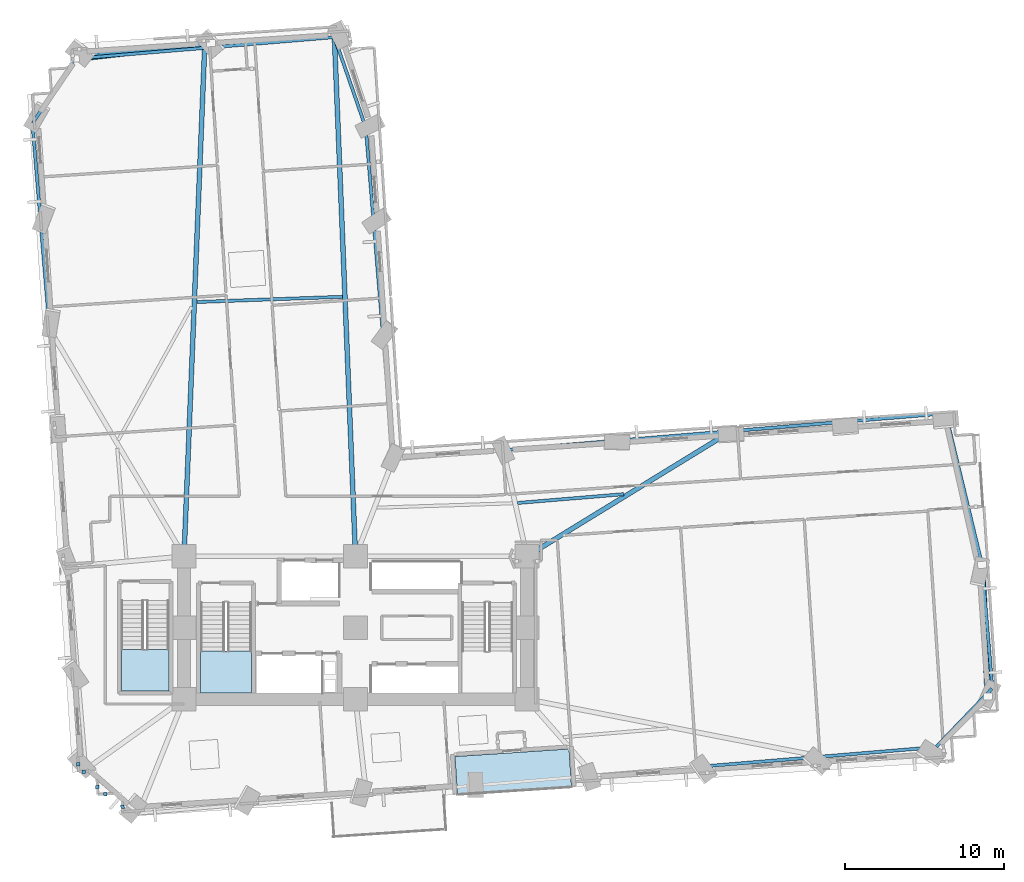
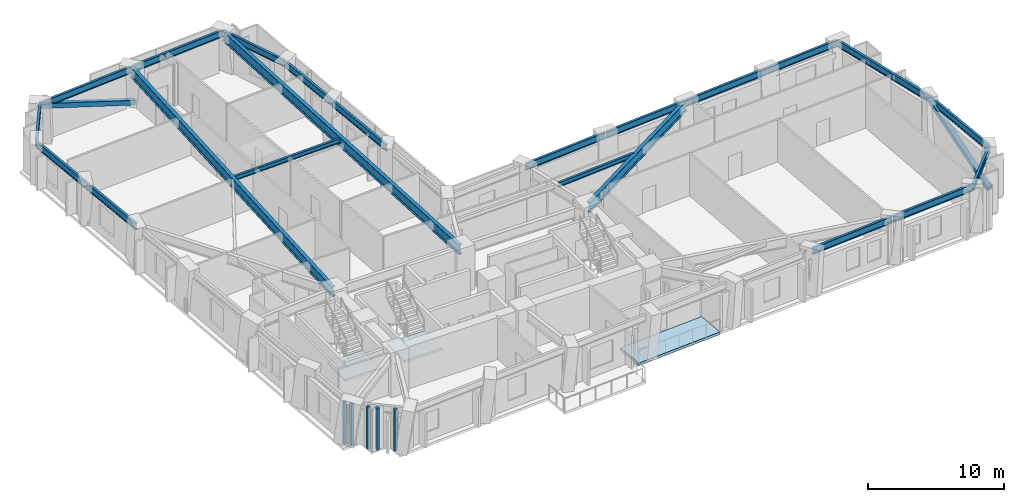
# One storey, part 2 of 14: 22 beams, 5 plates, 3 slabs, 2 members, 2 elements without a shape of their own.
"""IFC4 building model written with IfcOpenShell, lengths in metres."""

from ifc_helpers import new_model, si_unit, direction, frame, origin, origin_2d, place, context, subcontext, project, spatial, polyline, rectangle, hollow_rectangle, i_section, outline, extrude, material, layer, layer_set, material_profile, profile_set, type_object, element, aggregate, save


model = new_model("IFC4")

# Units and contexts
model_context = context("Model", 3, precision=1e-05, world=origin(), true_north=direction((0.0, 1.0)))
body_context = subcontext(model_context, "Body", "Model", "MODEL_VIEW")
ifc_project = project(units=[si_unit("LENGTHUNIT", "METRE"), si_unit("AREAUNIT", "SQUARE_METRE"), si_unit("VOLUMEUNIT", "CUBIC_METRE"), si_unit("PLANEANGLEUNIT", "RADIAN"), si_unit("MASSUNIT", "GRAM", prefix="KILO")], contexts=[model_context])

# Site, building, storey
site_placement = place(None, origin())
site = spatial("IfcSite", under=ifc_project, at=site_placement, CompositionType="ELEMENT")
building_placement = place(site_placement, origin())
building = spatial("IfcBuilding", under=site, at=building_placement, Name="Gaonmaruhae Medical Tower", CompositionType="ELEMENT")
storey_placement = place(building_placement, frame((0.0, 0.0, 39.0)))
storey = spatial("IfcBuildingStorey", under=building, at=storey_placement, Name="L08", CompositionType="ELEMENT", Elevation=39.0)

# Beams
ifc_material_1 = material(Name="Steel SM355", Category="steel")
ifc_material_profile_1 = material_profile(ifc_material_1, i_section(OverallWidth=0.199951171875, OverallDepth=0.39990234375, WebThickness=0.008056640625, FlangeThickness=0.012939453125, FilletRadius=0.012939453125, at=origin_2d()), Name="H-400x200x8x13")
ifc_profile_set_1 = profile_set([ifc_material_profile_1], Name="Steel SM355")
beam_type_1 = type_object("IfcBeamType", Name="FJ-01 Lower Zone Ward Floor Joist (H-400x200x8x13)", PredefinedType="JOIST", material=ifc_profile_set_1)
beam_1_placement = place(storey_placement, frame((41.6923828125, 20.7119140625, 3.580078125), z_axis=(-0.996567575901, -0.082783251106, 0.0), x_axis=(0.082783251106, -0.996567575901, 0.0)))
element("IfcBeam", 1, at=beam_1_placement, inside=storey, type_object=beam_type_1, Name="L08 Secondary Floor Joist FJ05", PredefinedType="JOIST", context=body_context, shape_type="SweptSolid", body=[
    extrude(i_section(OverallWidth=0.199951171875, OverallDepth=0.39990234375, WebThickness=0.008056640625, FlangeThickness=0.012939453125, FilletRadius=0.012939453125, at=origin_2d()), origin(), (0.0, 0.0, 1.0), 6.703369140625),
])
beam_2_placement = place(storey_placement, frame((23.979248046875, 33.142333984375, 3.580078125), z_axis=(-0.999360005261, -0.035771215858, 0.0), x_axis=(0.035771215858, -0.999360005261, 0.0)))
element("IfcBeam", 2, at=beam_2_placement, inside=storey, type_object=beam_type_1, Name="L08 Secondary Floor Joist FJ08", PredefinedType="JOIST", context=body_context, shape_type="SweptSolid", body=[
    extrude(i_section(OverallWidth=0.199951171875, OverallDepth=0.39990234375, WebThickness=0.008056640625, FlangeThickness=0.012939453125, FilletRadius=0.012939453125, at=origin_2d()), origin(), (0.0, 0.0, 1.0), 9.1796875),
])

# Members
ifc_material_2 = material(Name="Steel SM420", Category="steel")
ifc_material_profile_2 = material_profile(ifc_material_2, hollow_rectangle(XDim=0.39990234375, YDim=0.39990234375, WallThickness=0.01611328125, at=origin_2d()), Name="RHS-400x400x16")
ifc_profile_set_2 = profile_set([ifc_material_profile_2], Name="Steel SM420")
member_type = type_object("IfcMemberType", Name="PB-01 Perimeter Solid-Bay Tube Brace Lower (RHS-400x400x16)", PredefinedType="BRACE", material=ifc_profile_set_2)
member_1_placement = place(storey_placement, frame((64.633544921875, 7.9697265625, 0.25), z_axis=(-0.041588158318, 0.929057568311, 0.367590070393), x_axis=(-0.998999603762, -0.044719030443, 0.0)))
element("IfcMember", 3, at=member_1_placement, inside=storey, type_object=member_type, Name="L08 Perimeter Tube Solid-Bay Brace E01-E02", PredefinedType="BRACE", context=body_context, shape_type="SweptSolid", body=[
    extrude(hollow_rectangle(XDim=0.39990234375, YDim=0.39990234375, WallThickness=0.01611328125, at=origin_2d()), origin(), (0.0, 0.0, 1.0), 8.923095703125),
])
member_2_placement = place(storey_placement, frame((15.698974609375, 49.1171875, 0.25), z_axis=(-0.928697593419, -0.106086237211, 0.355339964332), x_axis=(0.113493123733, -0.993538781762, 0.0)))
element("IfcMember", 4, at=member_2_placement, inside=storey, type_object=member_type, Name="L08 Perimeter Tube Solid-Bay Brace N02-N03", PredefinedType="BRACE", context=body_context, shape_type="SweptSolid", body=[
    extrude(hollow_rectangle(XDim=0.39990234375, YDim=0.39990234375, WallThickness=0.01611328125, at=origin_2d()), origin(), (0.0, 0.0, 1.0), 9.230712890625),
])

# Beams
ifc_material_profile_3 = material_profile(ifc_material_2, i_section(OverallWidth=0.300048828125, OverallDepth=0.89990234375, WebThickness=0.01611328125, FlangeThickness=0.028076171875, FilletRadius=0.01806640625, at=origin_2d()), Name="H-900x300x16x28")
ifc_profile_set_3 = profile_set([ifc_material_profile_3], Name="Steel SM420")
beam_type_2 = type_object("IfcBeamType", Name="PG-01 Zone 1 Radial Floor Girder (H-900x300x16x28)", PredefinedType="BEAM", material=ifc_profile_set_3)
beam_3_placement = place(storey_placement, frame((35.642578125, 16.826171875, 3.330078125), z_axis=(0.852671032282, 0.522448189495, 0.0), x_axis=(-0.522448189495, 0.852671032282, 0.0)))
element("IfcBeam", 5, at=beam_3_placement, inside=storey, type_object=beam_type_2, Name="L08 Radial Primary Girder EN02", PredefinedType="BEAM", context=body_context, shape_type="SweptSolid", body=[
    extrude(i_section(OverallWidth=0.300048828125, OverallDepth=0.89990234375, WebThickness=0.01611328125, FlangeThickness=0.028076171875, FilletRadius=0.01806640625, at=origin_2d()), origin(), (0.0, 0.0, 1.0), 14.983154296875),
])
beam_4_placement = place(storey_placement, frame((24.7978515625, 16.849853515625, 3.330078125), z_axis=(-0.040636299146, 0.999174004462, 0.0), x_axis=(-0.999174004462, -0.040636299146, 0.0)))
element("IfcBeam", 6, at=beam_4_placement, inside=storey, type_object=beam_type_2, Name="L08 Radial Primary Girder N01", PredefinedType="BEAM", context=body_context, shape_type="SweptSolid", body=[
    extrude(i_section(OverallWidth=0.300048828125, OverallDepth=0.89990234375, WebThickness=0.01611328125, FlangeThickness=0.028076171875, FilletRadius=0.01806640625, at=origin_2d()), origin(), (0.0, 0.0, 1.0), 32.623046875),
])
beam_5_placement = place(storey_placement, frame((14.001953125, 16.849853515625, 3.330078125), z_axis=(0.04052263046, 0.999178620878, 0.0), x_axis=(-0.999178620878, 0.04052263046, 0.0)))
element("IfcBeam", 7, at=beam_5_placement, inside=storey, type_object=beam_type_2, Name="L08 Radial Primary Girder N02", PredefinedType="BEAM", context=body_context, shape_type="SweptSolid", body=[
    extrude(i_section(OverallWidth=0.300048828125, OverallDepth=0.89990234375, WebThickness=0.01611328125, FlangeThickness=0.028076171875, FilletRadius=0.01806640625, at=origin_2d()), origin(), (0.0, 0.0, 1.0), 31.943359375),
])
ifc_material_profile_4 = material_profile(ifc_material_1, i_section(OverallWidth=0.199951171875, OverallDepth=0.60009765625, WebThickness=0.010986328125, FlangeThickness=0.01708984375, FilletRadius=0.012939453125, at=origin_2d()), Name="H-600x200x11x17")
ifc_profile_set_4 = profile_set([ifc_material_profile_4], Name="Steel SM355")
beam_type_3 = type_object("IfcBeamType", Name="SP-01 Lower Perimeter Spandrel Beam (H-600x200x11x17)", PredefinedType="SPANDREL", material=ifc_profile_set_4)
for number, where, z_axis, x_axis, name in (
    (8, (47.04248046875, 3.59033203125, 3.47998046875), (0.996565358382, 0.082809941867, 0.0), (-0.082809941867, 0.996565358382, 0.0), "L08 Perimeter Spandrel Beam S06-S07"),
    (9, (54.2177734375, 4.1865234375, 3.47998046875), (0.996565358382, 0.082809941867, 0.0), (-0.082809941867, 0.996565358382, 0.0), "L08 Perimeter Spandrel Beam S07-S08"),
):
    element("IfcBeam", number, at=place(storey_placement, frame(where, z_axis=z_axis, x_axis=x_axis)), inside=storey, type_object=beam_type_3, Name=name, PredefinedType="SPANDREL", context=body_context, shape_type="SweptSolid", body=[
        extrude(i_section(OverallWidth=0.199951171875, OverallDepth=0.60009765625, WebThickness=0.010986328125, FlangeThickness=0.01708984375, FilletRadius=0.012939453125, at=origin_2d()), origin(), (0.0, 0.0, 1.0), 7.119873046875),
    ])
beam_6_placement = place(storey_placement, frame((61.380859375, 4.808349609375, 3.47998046875), z_axis=(0.692152816917, 0.721750980626, 0.0), x_axis=(-0.721750980626, 0.692152816917, 0.0)))
element("IfcBeam", 10, at=beam_6_placement, inside=storey, type_object=beam_type_3, Name="L08 Perimeter Spandrel Beam S08-E01", PredefinedType="SPANDREL", context=body_context, shape_type="SweptSolid", body=[
    extrude(i_section(OverallWidth=0.199951171875, OverallDepth=0.60009765625, WebThickness=0.010986328125, FlangeThickness=0.01708984375, FilletRadius=0.012939453125, at=origin_2d()), origin(), (0.0, 0.0, 1.0), 5.056396484375),
])
beam_7_placement = place(storey_placement, frame((64.905029296875, 8.5263671875, 3.47998046875), z_axis=(-0.082791612832, 0.99656688127, 0.0), x_axis=(-0.99656688127, -0.082791612832, 0.0)))
element("IfcBeam", 11, at=beam_7_placement, inside=storey, type_object=beam_type_3, Name="L08 Perimeter Spandrel Beam E01-E02", PredefinedType="SPANDREL", context=body_context, shape_type="SweptSolid", body=[
    extrude(i_section(OverallWidth=0.199951171875, OverallDepth=0.60009765625, WebThickness=0.010986328125, FlangeThickness=0.01708984375, FilletRadius=0.012939453125, at=origin_2d()), origin(), (0.0, 0.0, 1.0), 7.72021484375),
])
beam_8_placement = place(storey_placement, frame((64.253173828125, 16.298583984375, 3.47998046875), z_axis=(-0.234124071381, 0.972206726576, 0.0), x_axis=(-0.972206726576, -0.234124071381, 0.0)))
element("IfcBeam", 12, at=beam_8_placement, inside=storey, type_object=beam_type_3, Name="L08 Perimeter Spandrel Beam E02-E03", PredefinedType="SPANDREL", context=body_context, shape_type="SweptSolid", body=[
    extrude(i_section(OverallWidth=0.199951171875, OverallDepth=0.60009765625, WebThickness=0.010986328125, FlangeThickness=0.01708984375, FilletRadius=0.012939453125, at=origin_2d()), origin(), (0.0, 0.0, 1.0), 9.7353515625),
])
beam_9_placement = place(storey_placement, frame((61.924560546875, 25.798828125, 3.47998046875), z_axis=(-0.996567743071, -0.082781238641, 0.0), x_axis=(0.082781238641, -0.996567743071, 0.0)))
element("IfcBeam", 13, at=beam_9_placement, inside=storey, type_object=beam_type_3, Name="L08 Perimeter Spandrel Beam E03-EN01", PredefinedType="SPANDREL", context=body_context, shape_type="SweptSolid", body=[
    extrude(i_section(OverallWidth=0.199951171875, OverallDepth=0.60009765625, WebThickness=0.010986328125, FlangeThickness=0.01708984375, FilletRadius=0.012939453125, at=origin_2d()), origin(), (0.0, 0.0, 1.0), 6.27001953125),
])
for number, where, z_axis, x_axis, name in (
    (14, (55.596435546875, 25.273193359375, 3.47998046875), (-0.996565593512, -0.082807112178, 0.0), (0.082807112178, -0.996565593512, 0.0), "L08 Perimeter Spandrel Beam EN01-EN02"),
    (15, (48.421142578125, 24.677001953125, 3.47998046875), (-0.996565593512, -0.082807112178, 0.0), (0.082807112178, -0.996565593512, 0.0), "L08 Perimeter Spandrel Beam EN02-EN03"),
):
    element("IfcBeam", number, at=place(storey_placement, frame(where, z_axis=z_axis, x_axis=x_axis)), inside=storey, type_object=beam_type_3, Name=name, PredefinedType="SPANDREL", context=body_context, shape_type="SweptSolid", body=[
        extrude(i_section(OverallWidth=0.199951171875, OverallDepth=0.60009765625, WebThickness=0.010986328125, FlangeThickness=0.01708984375, FilletRadius=0.012939453125, at=origin_2d()), origin(), (0.0, 0.0, 1.0), 7.1201171875),
    ])
for number, where, z_axis, x_axis, name in (
    (16, (41.245849609375, 24.08056640625, 3.47998046875), (-0.996565358382, -0.082809941867, 0.0), (0.082809941867, -0.996565358382, 0.0), "L08 Perimeter Spandrel Beam EN03-EN04"),
    (17, (26.539306640625, 30.675537109375, 3.47998046875), (-0.082809941867, 0.996565358382, 0.0), (-0.996565358382, -0.082809941867, 0.0), "L08 Perimeter Spandrel Beam NE01-NE02"),
):
    element("IfcBeam", number, at=place(storey_placement, frame(where, z_axis=z_axis, x_axis=x_axis)), inside=storey, type_object=beam_type_3, Name=name, PredefinedType="SPANDREL", context=body_context, shape_type="SweptSolid", body=[
        extrude(i_section(OverallWidth=0.199951171875, OverallDepth=0.60009765625, WebThickness=0.010986328125, FlangeThickness=0.01708984375, FilletRadius=0.012939453125, at=origin_2d()), origin(), (0.0, 0.0, 1.0), 7.119873046875),
    ])
beam_10_placement = place(storey_placement, frame((25.94287109375, 37.850830078125, 3.47998046875), z_axis=(-0.082769025298, 0.996568757513, 0.0), x_axis=(-0.996568757513, -0.082769025298, 0.0)))
element("IfcBeam", 18, at=beam_10_placement, inside=storey, type_object=beam_type_3, Name="L08 Perimeter Spandrel Beam NE02-NE03", PredefinedType="SPANDREL", context=body_context, shape_type="SweptSolid", body=[
    extrude(i_section(OverallWidth=0.199951171875, OverallDepth=0.60009765625, WebThickness=0.010986328125, FlangeThickness=0.01708984375, FilletRadius=0.012939453125, at=origin_2d()), origin(), (0.0, 0.0, 1.0), 5.919921875),
])
beam_11_placement = place(storey_placement, frame((25.436279296875, 43.828125, 3.47998046875), z_axis=(-0.327708522139, 0.94477887599, 0.0), x_axis=(-0.94477887599, -0.327708522139, 0.0)))
element("IfcBeam", 19, at=beam_11_placement, inside=storey, type_object=beam_type_3, Name="L08 Perimeter Spandrel Beam NE03-N01", PredefinedType="SPANDREL", context=body_context, shape_type="SweptSolid", body=[
    extrude(i_section(OverallWidth=0.199951171875, OverallDepth=0.60009765625, WebThickness=0.010986328125, FlangeThickness=0.01708984375, FilletRadius=0.012939453125, at=origin_2d()), origin(), (0.0, 0.0, 1.0), 5.959228515625),
])
for number, where, z_axis, x_axis, name in (
    (20, (23.430419921875, 49.49267578125, 3.47998046875), (-0.996566048848, -0.082801632128, 0.0), (0.082801632128, -0.996566048848, 0.0), "L08 Perimeter Spandrel Beam N01-N02"),
    (21, (15.258544921875, 48.813720703125, 3.47998046875), (-0.996566048848, -0.082801632128, 0.0), (0.082801632128, -0.996566048848, 0.0), "L08 Perimeter Spandrel Beam N02-N03"),
):
    element("IfcBeam", number, at=place(storey_placement, frame(where, z_axis=z_axis, x_axis=x_axis)), inside=storey, type_object=beam_type_3, Name=name, PredefinedType="SPANDREL", context=body_context, shape_type="SweptSolid", body=[
        extrude(i_section(OverallWidth=0.199951171875, OverallDepth=0.60009765625, WebThickness=0.010986328125, FlangeThickness=0.01708984375, FilletRadius=0.012939453125, at=origin_2d()), origin(), (0.0, 0.0, 1.0), 8.1201171875),
    ])
beam_12_placement = place(storey_placement, frame((7.104736328125, 48.1044921875, 3.47998046875), z_axis=(-0.547226070646, -0.836984843116, 0.0), x_axis=(0.836984843116, -0.547226070646, 0.0)))
element("IfcBeam", 22, at=beam_12_placement, inside=storey, type_object=beam_type_3, Name="L08 Perimeter Spandrel Beam N03-W01", PredefinedType="SPANDREL", context=body_context, shape_type="SweptSolid", body=[
    extrude(i_section(OverallWidth=0.199951171875, OverallDepth=0.60009765625, WebThickness=0.010986328125, FlangeThickness=0.01708984375, FilletRadius=0.012939453125, at=origin_2d()), origin(), (0.0, 0.0, 1.0), 4.801025390625),
])
beam_13_placement = place(storey_placement, frame((4.458984375, 44.012939453125, 3.47998046875), z_axis=(0.08278332822, -0.996567569495, 0.0), x_axis=(0.996567569495, 0.08278332822, 0.0)))
element("IfcBeam", 23, at=beam_13_placement, inside=storey, type_object=beam_type_3, Name="L08 Perimeter Spandrel Beam W01-W02", PredefinedType="SPANDREL", context=body_context, shape_type="SweptSolid", body=[
    extrude(i_section(OverallWidth=0.199951171875, OverallDepth=0.60009765625, WebThickness=0.010986328125, FlangeThickness=0.01708984375, FilletRadius=0.012939453125, at=origin_2d()), origin(), (0.0, 0.0, 1.0), 6.320068359375),
])
beam_14_placement = place(storey_placement, frame((4.989013671875, 37.634765625, 3.47998046875), z_axis=(0.08279136619, -0.99656690176, 0.0), x_axis=(0.99656690176, 0.08279136619, 0.0)))
element("IfcBeam", 24, at=beam_14_placement, inside=storey, type_object=beam_type_3, Name="L08 Perimeter Spandrel Beam W02-W03", PredefinedType="SPANDREL", context=body_context, shape_type="SweptSolid", body=[
    extrude(i_section(OverallWidth=0.199951171875, OverallDepth=0.60009765625, WebThickness=0.010986328125, FlangeThickness=0.01708984375, FilletRadius=0.012939453125, at=origin_2d()), origin(), (0.0, 0.0, 1.0), 6.52001953125),
])

# Plates
ifc_material_3 = material(Name="Anodised aluminium 6063-T6", Category="aluminium")
ifc_layer_1 = layer(ifc_material_3, 0.011962890625)
ifc_layer_set_1 = layer_set([ifc_layer_1], Name="Anodised aluminium 6063-T6")
plate_type = type_object("IfcPlateType", Name="PP-01 Interior Partition Corner Stiffener Plate", PredefinedType="SHEET", material=ifc_layer_set_1)
for number, where, z_axis, x_axis, name in (
    (25, (10.1240234375, 1.031494140625, 0.0), (0.0, 0.0, 1.0), (-0.06578627472, 0.997833736681, 0.0), "L08 Partition Corner Stiffener Plate PLT-L08-JGP-PW009"),
    (26, (9.048583984375, 1.822509765625, 0.0), (0.0, 0.0, 1.0), (-0.997840620332, -0.065681781455, 0.0), "L08 Partition Corner Stiffener Plate PLT-L08-JGP-PW010"),
    (27, (8.5380859375, 2.26953125, 0.0), (0.0, 0.0, 1.0), (-0.066726681504, 0.997771291417, 0.0), "L08 Partition Corner Stiffener Plate PLT-L08-JGP-PW011"),
    (28, (7.69189453125, 3.235107421875, 0.0), (0.0, 0.0, 1.0), (-0.997840620332, -0.065681781455, 0.0), "L08 Partition Corner Stiffener Plate PLT-L08-JGP-PW012"),
    (29, (7.341064453125, 3.693115234375, 0.0), (0.0, 0.0, 1.0), (-0.066657023765, 0.997775947386, 0.0), "L08 Partition Corner Stiffener Plate PLT-L08-JGP-PW013"),
):
    element("IfcPlate", number, at=place(storey_placement, frame(where, z_axis=z_axis, x_axis=x_axis)), inside=storey, type_object=plate_type, Name=name, PredefinedType="SHEET", context=body_context, shape_type="SweptSolid", body=[
        extrude(rectangle(XDim=0.219970703125, YDim=0.219970703125, at=origin_2d()), origin(), (0.0, 0.0, 1.0), 3.780029296875),
    ])

# Stair, slab
ifc_material_4 = material(Name="Concrete C40/50", Category="concrete")
stair_type_1 = type_object("IfcStairType", Name="ST-T1 Primary Core Escape Dogleg Stair", PredefinedType="TWO_QUARTER_TURN_STAIR", material=ifc_material_4)
stair_1_placement = place(storey_placement, origin())
stair_1 = element("IfcStair", 30, at=stair_1_placement, inside=storey, type_object=stair_type_1, Name="L08 Protected Escape Stair ST-01", PredefinedType="TWO_QUARTER_TURN_STAIR")
ifc_layer_2 = layer(ifc_material_4, 0.199951171875)
ifc_layer_set_2 = layer_set([ifc_layer_2], Name="Concrete C40/50")
slab_type_1 = type_object("IfcSlabType", Name="SL-200 Stair & Ramp Intermediate Concrete Landing", PredefinedType="LANDING", material=ifc_layer_set_2)
slab_1_placement = place(storey_placement, frame((0.0, 0.0, 1.800048828125)))
slab_1 = element("IfcSlab", 31, at=slab_1_placement, type_object=slab_type_1, Name="ST-01 landing 1", PredefinedType="LANDING", context=body_context, shape_type="SweptSolid", body=[
    extrude(outline(polyline([(15.050048828125, 10.820068359375), (15.050048828125, 8.2041015625), (18.25, 8.2041015625), (18.25, 10.820068359375), (15.050048828125, 10.820068359375)])), origin(), (0.0, 0.0, 1.0), 0.199951171875),
])
aggregate(stair_1, [slab_1])

stair_type_2 = type_object("IfcStairType", Name="ST-T2 Zone 1 Escape Dogleg Stair", PredefinedType="TWO_QUARTER_TURN_STAIR", material=ifc_material_4)
stair_2_placement = place(storey_placement, origin())
stair_2 = element("IfcStair", 32, at=stair_2_placement, inside=storey, type_object=stair_type_2, Name="L08 Protected Escape Stair ST-03", PredefinedType="TWO_QUARTER_TURN_STAIR")
slab_2_placement = place(storey_placement, frame((0.0, 0.0, 1.800048828125)))
slab_2 = element("IfcSlab", 33, at=slab_2_placement, type_object=slab_type_1, Name="ST-03 landing 1", PredefinedType="LANDING", context=body_context, shape_type="SweptSolid", body=[
    extrude(outline(polyline([(10.050048828125, 10.919921875), (10.050048828125, 8.300048828125), (13.050048828125, 8.300048828125), (13.050048828125, 10.919921875), (10.050048828125, 10.919921875)])), origin(), (0.0, 0.0, 1.0), 0.199951171875),
])
aggregate(stair_2, [slab_2])

# Slab
ifc_layer_3 = layer(ifc_material_4, 0.239990234375)
ifc_layer_set_3 = layer_set([ifc_layer_3], Name="Concrete C40/50")
slab_type_2 = type_object("IfcSlabType", Name="TS-240 Sky Garden & Recovery Terrace Slab", PredefinedType="FLOOR", material=ifc_layer_set_3)
slab_3_placement = place(storey_placement, frame((0.0, 0.0, -0.239990234375)))
element("IfcSlab", 34, at=slab_3_placement, inside=storey, type_object=slab_type_2, Name="L08 Outdoor Recovery Terrace Slab", PredefinedType="FLOOR", context=body_context, shape_type="SweptSolid", body=[
    extrude(outline(polyline([(31.22265625, 1.791748046875), (38.40673828125, 2.26904296875), (38.247802734375, 4.663818359375), (31.0634765625, 4.1865234375), (31.22265625, 1.791748046875)])), origin(), (0.0, 0.0, 1.0), 0.239990234375),
])

save(model, "model.ifc")
